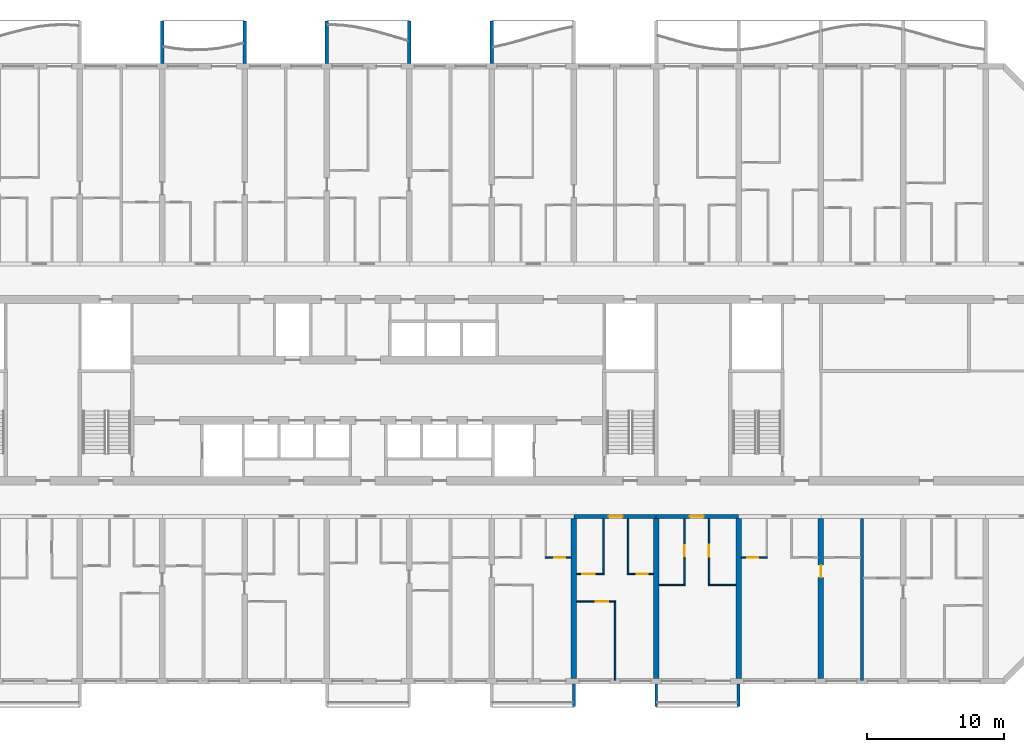
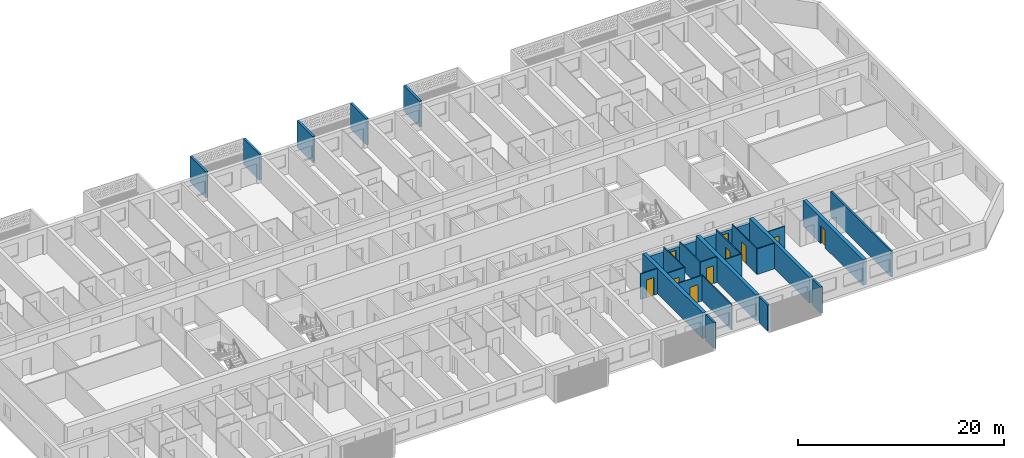
# One storey, part 14 of 40: 27 walls, 10 doors, 10 openings.
"""IFC4 building model written with IfcOpenShell, lengths in metres."""

from ifc_helpers import new_model, si_unit, direction, frame, frame_2d, origin, place, context, subcontext, project, spatial, polyline, rectangle, outline, extrude, source, transform, mapped, material, layer, layer_set, type_object, element, fill, save


model = new_model("IFC4")

# Units and contexts
model_context = context("Model", 3, precision=1e-05, world=origin(), true_north=direction((0.0, 1.0)))
body_context = subcontext(model_context, "Body", "Model", "MODEL_VIEW")
ifc_project = project(units=[si_unit("LENGTHUNIT", "METRE"), si_unit("AREAUNIT", "SQUARE_METRE"), si_unit("VOLUMEUNIT", "CUBIC_METRE"), si_unit("PLANEANGLEUNIT", "RADIAN"), si_unit("MASSUNIT", "GRAM", prefix="KILO")], contexts=[model_context])

# Site, building, storey
site_placement = place(None, origin())
site = spatial("IfcSite", under=ifc_project, at=site_placement, CompositionType="ELEMENT")
building_placement = place(site_placement, origin())
building = spatial("IfcBuilding", under=site, at=building_placement, Name="Poui Terraces", CompositionType="ELEMENT")
storey_placement = place(building_placement, frame((0.0, 0.0, 36.60009765625)))
storey = spatial("IfcBuildingStorey", under=building, at=storey_placement, Name="L09", CompositionType="ELEMENT", Elevation=36.60009765625)

# Wall, opening, door
ifc_material_1 = material(Name="Concrete 80 MPa", Category="concrete")
ifc_layer_1 = layer(ifc_material_1, 0.300048828125)
ifc_layer_set_1 = layer_set([ifc_layer_1], Name="Concrete 80 MPa")
wall_type_1 = type_object("IfcWallType", Name="CORRIDOR WALL 300 80MPa", PredefinedType="SHEAR", material=ifc_layer_set_1)
wall_1_placement = place(storey_placement, frame((66.0, 12.0, 0.0), z_axis=(0.0, 0.0, 1.0), x_axis=(1.0, 0.0, 0.0)))
wall_1 = element("IfcWall", 1, at=wall_1_placement, inside=storey, type_object=wall_type_1, Name="CORRIDOR WALL LINE B BAY 12", PredefinedType="SHEAR", context=body_context, shape_type="SweptSolid", body=[
    extrude(rectangle(XDim=6.0, YDim=0.300048828125, at=frame_2d((3.0, 0.0))), origin(), (0.0, 0.0, 1.0), 2.449951171875),
])
opening_1_placement = place(wall_1_placement, frame((2.550048828125, 0.0, 0.0)))
opening_1 = element("IfcOpeningElement", 2, at=opening_1_placement, cuts=wall_1, Name="Opening FD30S", PredefinedType="OPENING", context=body_context, shape_type="SweptSolid", body=[
    extrude(rectangle(XDim=1.0, YDim=2.10009765625, at=frame_2d((0.5, 1.050048828125))), frame((0.0, 0.16015625, 0.0), z_axis=(0.0, -1.0, 0.0), x_axis=(1.0, 0.0, 0.0)), (0.0, 0.0, 1.0), 0.320068359375),
])
ifc_material_2 = material(Name="Steel fire door", Category="steel")
door_type_1 = type_object("IfcDoorType", Name="FLAT ENTRANCE DOOR 1000 X 2100", OperationType="NOTDEFINED", PredefinedType="DOOR", material=ifc_material_2)
door_1_placement = place(opening_1_placement, frame((1.0, 0.0, 0.0), z_axis=(0.0, 0.0, 1.0), x_axis=(-1.0, 0.0, 0.0)))
door_1 = element("IfcDoor", 3, at=door_1_placement, inside=storey, type_object=door_type_1, Name="FLAT ENTRANCE DOOR 132", OperationType="SINGLE_SWING_LEFT", OverallHeight=2.10009765625, OverallWidth=1.0, PredefinedType="DOOR", context=body_context, shape_type="SweptSolid", body=[
    extrude(rectangle(XDim=1.0, YDim=2.10009765625, at=frame_2d((0.5, 1.050048828125))), frame((0.0, 0.02490234375, 0.0), z_axis=(0.0, -1.0, 0.0), x_axis=(1.0, 0.0, 0.0)), (0.0, 0.0, 1.0), 0.050048828125),
])
fill(opening_1, door_1)

wall_2_placement = place(storey_placement, frame((72.0, 12.0, 0.0), z_axis=(0.0, 0.0, 1.0), x_axis=(1.0, 0.0, 0.0)))
wall_2 = element("IfcWall", 4, at=wall_2_placement, inside=storey, type_object=wall_type_1, Name="CORRIDOR WALL LINE B BAY 13", PredefinedType="SHEAR", context=body_context, shape_type="SweptSolid", body=[
    extrude(rectangle(XDim=6.0, YDim=0.300048828125, at=frame_2d((3.0, 0.0))), origin(), (0.0, 0.0, 1.0), 2.449951171875),
])
opening_2_placement = place(wall_2_placement, frame((2.449951171875, 0.0, 0.0)))
opening_2 = element("IfcOpeningElement", 5, at=opening_2_placement, cuts=wall_2, Name="Opening FD30S", PredefinedType="OPENING", context=body_context, shape_type="SweptSolid", body=[
    extrude(rectangle(XDim=1.0, YDim=2.10009765625, at=frame_2d((0.5, 1.050048828125))), frame((0.0, 0.16015625, 0.0), z_axis=(0.0, -1.0, 0.0), x_axis=(1.0, 0.0, 0.0)), (0.0, 0.0, 1.0), 0.320068359375),
])
door_2_placement = place(opening_2_placement, frame((1.0, 0.0, 0.0), z_axis=(0.0, 0.0, 1.0), x_axis=(-1.0, 0.0, 0.0)))
door_2 = element("IfcDoor", 6, at=door_2_placement, inside=storey, type_object=door_type_1, Name="FLAT ENTRANCE DOOR 135", OperationType="SINGLE_SWING_RIGHT", OverallHeight=2.10009765625, OverallWidth=1.0, PredefinedType="DOOR", context=body_context, shape_type="SweptSolid", body=[
    extrude(rectangle(XDim=1.0, YDim=2.10009765625, at=frame_2d((0.5, 1.050048828125))), frame((0.0, 0.02490234375, 0.0), z_axis=(0.0, -1.0, 0.0), x_axis=(1.0, 0.0, 0.0)), (0.0, 0.0, 1.0), 0.050048828125),
])
fill(opening_2, door_2)

# Walls
ifc_layer_2 = layer(ifc_material_1, 0.39990234375)
ifc_layer_set_2 = layer_set([ifc_layer_2], Name="Concrete 80 MPa")
wall_type_2 = type_object("IfcWallType", Name="CROSS WALL 400 80MPa", PredefinedType="SHEAR", material=ifc_layer_set_2)
for number, where, z_axis, x_axis, name in (
    (7, (66.0, 0.199951171875, 0.0), (0.0, 0.0, 1.0), (0.0, 1.0, 0.0), "CROSS WALL LINE 12 SOUTH"),
    (8, (72.0, 0.199951171875, 0.0), (0.0, 0.0, 1.0), (0.0, 1.0, 0.0), "CROSS WALL LINE 13 SOUTH"),
    (9, (78.0, 0.199951171875, 0.0), (0.0, 0.0, 1.0), (0.0, 1.0, 0.0), "CROSS WALL LINE 14 SOUTH"),
):
    element("IfcWall", number, at=place(storey_placement, frame(where, z_axis=z_axis, x_axis=x_axis)), inside=storey, type_object=wall_type_2, Name=name, PredefinedType="SHEAR", context=body_context, shape_type="SweptSolid", body=[
        extrude(rectangle(XDim=11.650146484375, YDim=0.39990234375, at=frame_2d((5.8251953125, 0.0))), origin(), (0.0, 0.0, 1.0), 3.0498046875),
    ])

# Wall, opening, door
wall_3_placement = place(storey_placement, frame((84.0, 0.199951171875, 0.0), z_axis=(0.0, 0.0, 1.0), x_axis=(0.0, 1.0, 0.0)))
wall_3 = element("IfcWall", 10, at=wall_3_placement, inside=storey, type_object=wall_type_2, Name="CROSS WALL LINE 15 SOUTH", PredefinedType="SHEAR", context=body_context, shape_type="SweptSolid", body=[
    extrude(rectangle(XDim=11.650146484375, YDim=0.39990234375, at=frame_2d((5.8251953125, 0.0))), origin(), (0.0, 0.0, 1.0), 3.0498046875),
])
opening_3_placement = place(wall_3_placement, frame((7.35009765625, 0.0, 0.0)))
opening_3 = element("IfcOpeningElement", 11, at=opening_3_placement, cuts=wall_3, Name="Opening D90", PredefinedType="OPENING", context=body_context, shape_type="SweptSolid", body=[
    extrude(rectangle(XDim=0.89990234375, YDim=2.10009765625, at=frame_2d((0.449951171875, 1.050048828125))), frame((0.0, 0.2099609375, 0.0), z_axis=(0.0, -1.0, 0.0), x_axis=(1.0, 0.0, 0.0)), (0.0, 0.0, 1.0), 0.419921875),
])
ifc_material_3 = material(Name="Solid core timber door", Category="wood")
door_type_2 = type_object("IfcDoorType", Name="INTERNAL DOOR 900 X 2100", OperationType="NOTDEFINED", PredefinedType="DOOR", material=ifc_material_3)
door_3_placement = place(opening_3_placement, frame((0.89990234375, 0.0, 0.0), z_axis=(0.0, 0.0, 1.0), x_axis=(-1.0, 0.0, 0.0)))
door_3 = element("IfcDoor", 12, at=door_3_placement, inside=storey, type_object=door_type_2, Name="INTERNAL DOOR 141", OperationType="SINGLE_SWING_LEFT", OverallHeight=2.10009765625, OverallWidth=0.89990234375, PredefinedType="DOOR", context=body_context, shape_type="SweptSolid", body=[
    extrude(rectangle(XDim=0.89990234375, YDim=2.10009765625, at=frame_2d((0.449951171875, 1.050048828125))), frame((0.0, 0.02490234375, 0.0), z_axis=(0.0, -1.0, 0.0), x_axis=(1.0, 0.0, 0.0)), (0.0, 0.0, 1.0), 0.050048828125),
])
fill(opening_3, door_3)

ifc_material_4 = material(Name="Plasterboard partition")
ifc_layer_3 = layer(ifc_material_4, 0.10009765625)
ifc_layer_set_3 = layer_set([ifc_layer_3], Name="Plasterboard partition")
wall_type_3 = type_object("IfcWallType", Name="FLAT PARTITION 100", PredefinedType="PARTITIONING", material=ifc_layer_set_3)
wall_4_placement = place(storey_placement, frame((66.2099609375, 5.800048828125, 0.0), z_axis=(0.0, 0.0, 1.0), x_axis=(1.0, 0.0, 0.0)))
wall_4 = element("IfcWall", 13, at=wall_4_placement, inside=storey, type_object=wall_type_3, Name="FLAT PARTITION 100", PredefinedType="PARTITIONING", context=body_context, shape_type="SweptSolid", body=[
    extrude(rectangle(XDim=2.840087890625, YDim=0.10009765625, at=frame_2d((1.419921875, 0.0))), origin(), (0.0, 0.0, 1.0), 3.0498046875),
])
opening_4_placement = place(wall_4_placement, frame((1.389892578125, 0.0, 0.0)))
opening_4 = element("IfcOpeningElement", 14, at=opening_4_placement, cuts=wall_4, Name="Opening D90", PredefinedType="OPENING", context=body_context, shape_type="SweptSolid", body=[
    extrude(rectangle(XDim=0.89990234375, YDim=2.10009765625, at=frame_2d((0.449951171875, 1.050048828125))), frame((0.0, 0.06005859375, 0.0), z_axis=(0.0, -1.0, 0.0), x_axis=(1.0, 0.0, 0.0)), (0.0, 0.0, 1.0), 0.1201171875),
])
door_4_placement = place(opening_4_placement, origin())
door_4 = element("IfcDoor", 15, at=door_4_placement, inside=storey, type_object=door_type_2, Name="INTERNAL DOOR 131", OperationType="SINGLE_SWING_LEFT", OverallHeight=2.10009765625, OverallWidth=0.89990234375, PredefinedType="DOOR", context=body_context, shape_type="SweptSolid", body=[
    extrude(rectangle(XDim=0.89990234375, YDim=2.10009765625, at=frame_2d((0.449951171875, 1.050048828125))), frame((0.0, 0.02490234375, 0.0), z_axis=(0.0, -1.0, 0.0), x_axis=(1.0, 0.0, 0.0)), (0.0, 0.0, 1.0), 0.050048828125),
])
fill(opening_4, door_4)

# Walls
wall_5_placement = place(storey_placement, frame((72.2099609375, 7.0, 0.0), z_axis=(0.0, 0.0, 1.0), x_axis=(1.0, 0.0, 0.0)))
element("IfcWall", 16, at=wall_5_placement, inside=storey, type_object=wall_type_3, Name="FLAT PARTITION 100", PredefinedType="PARTITIONING", context=body_context, shape_type="SweptSolid", body=[
    extrude(rectangle(XDim=1.89013671875, YDim=0.10009765625, at=frame_2d((0.945068359375, 0.0))), origin(), (0.0, 0.0, 1.0), 3.0498046875),
])
wall_6_placement = place(storey_placement, frame((75.800048828125, 7.0, 0.0), z_axis=(0.0, 0.0, 1.0), x_axis=(1.0, 0.0, 0.0)))
element("IfcWall", 17, at=wall_6_placement, inside=storey, type_object=wall_type_3, Name="FLAT PARTITION 100", PredefinedType="PARTITIONING", context=body_context, shape_type="SweptSolid", body=[
    extrude(rectangle(XDim=1.989990234375, YDim=0.10009765625, at=frame_2d((0.9951171875, 0.0))), origin(), (0.0, 0.0, 1.0), 3.0498046875),
])

# Wall, opening, door
wall_7_placement = place(storey_placement, frame((66.2099609375, 7.800048828125, 0.0), z_axis=(0.0, 0.0, 1.0), x_axis=(1.0, 0.0, 0.0)))
wall_7 = element("IfcWall", 18, at=wall_7_placement, inside=storey, type_object=wall_type_3, Name="FLAT PARTITION 100", PredefinedType="PARTITIONING", context=body_context, shape_type="SweptSolid", body=[
    extrude(rectangle(XDim=1.989990234375, YDim=0.10009765625, at=frame_2d((0.9951171875, 0.0))), origin(), (0.0, 0.0, 1.0), 3.0498046875),
])
opening_5_placement = place(wall_7_placement, frame((0.4150390625, 0.0, 0.0)))
opening_5 = element("IfcOpeningElement", 19, at=opening_5_placement, cuts=wall_7, Name="Opening D90", PredefinedType="OPENING", context=body_context, shape_type="SweptSolid", body=[
    extrude(rectangle(XDim=0.89990234375, YDim=2.10009765625, at=frame_2d((0.449951171875, 1.050048828125))), frame((0.0, 0.06005859375, 0.0), z_axis=(0.0, -1.0, 0.0), x_axis=(1.0, 0.0, 0.0)), (0.0, 0.0, 1.0), 0.1201171875),
])
door_5_placement = place(opening_5_placement, origin())
door_5 = element("IfcDoor", 20, at=door_5_placement, inside=storey, type_object=door_type_2, Name="INTERNAL DOOR 130", OperationType="SINGLE_SWING_RIGHT", OverallHeight=2.10009765625, OverallWidth=0.89990234375, PredefinedType="DOOR", context=body_context, shape_type="SweptSolid", body=[
    extrude(rectangle(XDim=0.89990234375, YDim=2.10009765625, at=frame_2d((0.449951171875, 1.050048828125))), frame((0.0, 0.02490234375, 0.0), z_axis=(0.0, -1.0, 0.0), x_axis=(1.0, 0.0, 0.0)), (0.0, 0.0, 1.0), 0.050048828125),
])
fill(opening_5, door_5)

wall_8_placement = place(storey_placement, frame((69.89990234375, 7.800048828125, 0.0), z_axis=(0.0, 0.0, 1.0), x_axis=(1.0, 0.0, 0.0)))
wall_8 = element("IfcWall", 21, at=wall_8_placement, inside=storey, type_object=wall_type_3, Name="FLAT PARTITION 100", PredefinedType="PARTITIONING", context=body_context, shape_type="SweptSolid", body=[
    extrude(rectangle(XDim=1.89013671875, YDim=0.10009765625, at=frame_2d((0.945068359375, 0.0))), origin(), (0.0, 0.0, 1.0), 3.0498046875),
])
opening_6_placement = place(wall_8_placement, frame((0.675048828125, 0.0, 0.0)))
opening_6 = element("IfcOpeningElement", 22, at=opening_6_placement, cuts=wall_8, Name="Opening D80", PredefinedType="OPENING", context=body_context, shape_type="SweptSolid", body=[
    extrude(rectangle(XDim=0.800048828125, YDim=2.10009765625, at=frame_2d((0.39990234375, 1.050048828125))), frame((0.0, 0.06005859375, 0.0), z_axis=(0.0, -1.0, 0.0), x_axis=(1.0, 0.0, 0.0)), (0.0, 0.0, 1.0), 0.1201171875),
])
door_type_3 = type_object("IfcDoorType", Name="BATHROOM, LAUNDRY AND STORE DOOR 800 X 2100", OperationType="NOTDEFINED", PredefinedType="DOOR", material=ifc_material_3)
door_6_placement = place(opening_6_placement, origin())
door_6 = element("IfcDoor", 23, at=door_6_placement, inside=storey, type_object=door_type_3, Name="BATHROOM, LAUNDRY AND STORE DOOR 133", OperationType="SINGLE_SWING_LEFT", OverallHeight=2.10009765625, OverallWidth=0.800048828125, PredefinedType="DOOR", context=body_context, shape_type="SweptSolid", body=[
    extrude(rectangle(XDim=0.800048828125, YDim=2.10009765625, at=frame_2d((0.39990234375, 1.050048828125))), frame((0.0, 0.02490234375, 0.0), z_axis=(0.0, -1.0, 0.0), x_axis=(1.0, 0.0, 0.0)), (0.0, 0.0, 1.0), 0.050048828125),
])
fill(opening_6, door_6)

wall_9_placement = place(storey_placement, frame((63.89990234375, 9.0, 0.0), z_axis=(0.0, 0.0, 1.0), x_axis=(1.0, 0.0, 0.0)))
wall_9 = element("IfcWall", 24, at=wall_9_placement, inside=storey, type_object=wall_type_3, Name="FLAT PARTITION 100", PredefinedType="PARTITIONING", context=body_context, shape_type="SweptSolid", body=[
    extrude(rectangle(XDim=1.89013671875, YDim=0.10009765625, at=frame_2d((0.945068359375, 0.0))), origin(), (0.0, 0.0, 1.0), 3.0498046875),
])
opening_7_placement = place(wall_9_placement, frame((0.675048828125, 0.0, 0.0)))
opening_7 = element("IfcOpeningElement", 25, at=opening_7_placement, cuts=wall_9, Name="Opening D80", PredefinedType="OPENING", context=body_context, shape_type="SweptSolid", body=[
    extrude(rectangle(XDim=0.800048828125, YDim=2.10009765625, at=frame_2d((0.39990234375, 1.050048828125))), frame((0.0, 0.06005859375, 0.0), z_axis=(0.0, -1.0, 0.0), x_axis=(1.0, 0.0, 0.0)), (0.0, 0.0, 1.0), 0.1201171875),
])
door_7_placement = place(opening_7_placement, origin())
door_7 = element("IfcDoor", 26, at=door_7_placement, inside=storey, type_object=door_type_3, Name="BATHROOM, LAUNDRY AND STORE DOOR 129", OperationType="SINGLE_SWING_RIGHT", OverallHeight=2.10009765625, OverallWidth=0.800048828125, PredefinedType="DOOR", context=body_context, shape_type="SweptSolid", body=[
    extrude(rectangle(XDim=0.800048828125, YDim=2.10009765625, at=frame_2d((0.39990234375, 1.050048828125))), frame((0.0, 0.02490234375, 0.0), z_axis=(0.0, -1.0, 0.0), x_axis=(1.0, 0.0, 0.0)), (0.0, 0.0, 1.0), 0.050048828125),
])
fill(opening_7, door_7)

wall_10_placement = place(storey_placement, frame((78.2099609375, 9.0, 0.0), z_axis=(0.0, 0.0, 1.0), x_axis=(1.0, 0.0, 0.0)))
wall_10 = element("IfcWall", 27, at=wall_10_placement, inside=storey, type_object=wall_type_3, Name="FLAT PARTITION 100", PredefinedType="PARTITIONING", context=body_context, shape_type="SweptSolid", body=[
    extrude(rectangle(XDim=1.89013671875, YDim=0.10009765625, at=frame_2d((0.945068359375, 0.0))), origin(), (0.0, 0.0, 1.0), 3.0498046875),
])
opening_8_placement = place(wall_10_placement, frame((0.4150390625, 0.0, 0.0)))
opening_8 = element("IfcOpeningElement", 28, at=opening_8_placement, cuts=wall_10, Name="Opening D80", PredefinedType="OPENING", context=body_context, shape_type="SweptSolid", body=[
    extrude(rectangle(XDim=0.800048828125, YDim=2.10009765625, at=frame_2d((0.39990234375, 1.050048828125))), frame((0.0, 0.06005859375, 0.0), z_axis=(0.0, -1.0, 0.0), x_axis=(1.0, 0.0, 0.0)), (0.0, 0.0, 1.0), 0.1201171875),
])
door_8_placement = place(opening_8_placement, origin())
door_8 = element("IfcDoor", 29, at=door_8_placement, inside=storey, type_object=door_type_3, Name="BATHROOM, LAUNDRY AND STORE DOOR 138", OperationType="SINGLE_SWING_LEFT", OverallHeight=2.10009765625, OverallWidth=0.800048828125, PredefinedType="DOOR", context=body_context, shape_type="SweptSolid", body=[
    extrude(rectangle(XDim=0.800048828125, YDim=2.10009765625, at=frame_2d((0.39990234375, 1.050048828125))), frame((0.0, 0.02490234375, 0.0), z_axis=(0.0, -1.0, 0.0), x_axis=(1.0, 0.0, 0.0)), (0.0, 0.0, 1.0), 0.050048828125),
])
fill(opening_8, door_8)

# Walls
wall_11_placement = place(storey_placement, frame((68.14990234375, 7.85009765625, 0.0), z_axis=(0.0, 0.0, 1.0), x_axis=(0.0, 1.0, 0.0)))
element("IfcWall", 30, at=wall_11_placement, inside=storey, type_object=wall_type_3, Name="FLAT PARTITION 100", PredefinedType="PARTITIONING", context=body_context, shape_type="SweptSolid", body=[
    extrude(rectangle(XDim=3.989990234375, YDim=0.10009765625, at=frame_2d((1.9951171875, 0.0))), origin(), (0.0, 0.0, 1.0), 3.0498046875),
])
wall_12_placement = place(storey_placement, frame((69.0, 0.06005859375, 0.0), z_axis=(0.0, 0.0, 1.0), x_axis=(0.0, 1.0, 0.0)))
element("IfcWall", 31, at=wall_12_placement, inside=storey, type_object=wall_type_3, Name="FLAT PARTITION 100", PredefinedType="PARTITIONING", context=body_context, shape_type="SweptSolid", body=[
    extrude(rectangle(XDim=5.68994140625, YDim=0.10009765625, at=frame_2d((2.844970703125, 0.0))), origin(), (0.0, 0.0, 1.0), 3.0498046875),
])
wall_13_placement = place(storey_placement, frame((69.949951171875, 7.85009765625, 0.0), z_axis=(0.0, 0.0, 1.0), x_axis=(0.0, 1.0, 0.0)))
element("IfcWall", 32, at=wall_13_placement, inside=storey, type_object=wall_type_3, Name="FLAT PARTITION 100", PredefinedType="PARTITIONING", context=body_context, shape_type="SweptSolid", body=[
    extrude(rectangle(XDim=3.989990234375, YDim=0.10009765625, at=frame_2d((1.9951171875, 0.0))), origin(), (0.0, 0.0, 1.0), 3.0498046875),
])

# Wall, opening, door
wall_14_placement = place(storey_placement, frame((74.050048828125, 7.050048828125, 0.0), z_axis=(0.0, 0.0, 1.0), x_axis=(0.0, 1.0, 0.0)))
wall_14 = element("IfcWall", 33, at=wall_14_placement, inside=storey, type_object=wall_type_3, Name="FLAT PARTITION 100", PredefinedType="PARTITIONING", context=body_context, shape_type="SweptSolid", body=[
    extrude(rectangle(XDim=4.7900390625, YDim=0.10009765625, at=frame_2d((2.39501953125, 0.0))), origin(), (0.0, 0.0, 1.0), 3.0498046875),
])
opening_9_placement = place(wall_14_placement, frame((2.050048828125, 0.0, 0.0)))
opening_9 = element("IfcOpeningElement", 34, at=opening_9_placement, cuts=wall_14, Name="Opening D80", PredefinedType="OPENING", context=body_context, shape_type="SweptSolid", body=[
    extrude(rectangle(XDim=0.800048828125, YDim=2.10009765625, at=frame_2d((0.39990234375, 1.050048828125))), frame((0.0, 0.06005859375, 0.0), z_axis=(0.0, -1.0, 0.0), x_axis=(1.0, 0.0, 0.0)), (0.0, 0.0, 1.0), 0.1201171875),
])
door_9_placement = place(opening_9_placement, origin())
door_9 = element("IfcDoor", 35, at=door_9_placement, inside=storey, type_object=door_type_3, Name="BATHROOM, LAUNDRY AND STORE DOOR 134", OperationType="SINGLE_SWING_RIGHT", OverallHeight=2.10009765625, OverallWidth=0.800048828125, PredefinedType="DOOR", context=body_context, shape_type="SweptSolid", body=[
    extrude(rectangle(XDim=0.800048828125, YDim=2.10009765625, at=frame_2d((0.39990234375, 1.050048828125))), frame((0.0, 0.02490234375, 0.0), z_axis=(0.0, -1.0, 0.0), x_axis=(1.0, 0.0, 0.0)), (0.0, 0.0, 1.0), 0.050048828125),
])
fill(opening_9, door_9)

wall_15_placement = place(storey_placement, frame((75.85009765625, 7.050048828125, 0.0), z_axis=(0.0, 0.0, 1.0), x_axis=(0.0, 1.0, 0.0)))
wall_15 = element("IfcWall", 36, at=wall_15_placement, inside=storey, type_object=wall_type_3, Name="FLAT PARTITION 100", PredefinedType="PARTITIONING", context=body_context, shape_type="SweptSolid", body=[
    extrude(rectangle(XDim=4.7900390625, YDim=0.10009765625, at=frame_2d((2.39501953125, 0.0))), origin(), (0.0, 0.0, 1.0), 3.0498046875),
])
opening_10_placement = place(wall_15_placement, frame((2.0, 0.0, 0.0)))
opening_10 = element("IfcOpeningElement", 37, at=opening_10_placement, cuts=wall_15, Name="Opening D90", PredefinedType="OPENING", context=body_context, shape_type="SweptSolid", body=[
    extrude(rectangle(XDim=0.89990234375, YDim=2.10009765625, at=frame_2d((0.449951171875, 1.050048828125))), frame((0.0, 0.06005859375, 0.0), z_axis=(0.0, -1.0, 0.0), x_axis=(1.0, 0.0, 0.0)), (0.0, 0.0, 1.0), 0.1201171875),
])
door_10_placement = place(opening_10_placement, frame((0.89990234375, 0.0, 0.0), z_axis=(0.0, 0.0, 1.0), x_axis=(-1.0, 0.0, 0.0)))
door_10 = element("IfcDoor", 38, at=door_10_placement, inside=storey, type_object=door_type_2, Name="INTERNAL DOOR 136", OperationType="SINGLE_SWING_RIGHT", OverallHeight=2.10009765625, OverallWidth=0.89990234375, PredefinedType="DOOR", context=body_context, shape_type="SweptSolid", body=[
    extrude(rectangle(XDim=0.89990234375, YDim=2.10009765625, at=frame_2d((0.449951171875, 1.050048828125))), frame((0.0, 0.02490234375, 0.0), z_axis=(0.0, -1.0, 0.0), x_axis=(1.0, 0.0, 0.0)), (0.0, 0.0, 1.0), 0.050048828125),
])
fill(opening_10, door_10)

# Walls
ifc_material_5 = material(Name="Fire-rated masonry wall", Category="masonry")
ifc_layer_4 = layer(ifc_material_5, 0.199951171875)
ifc_layer_set_4 = layer_set([ifc_layer_4], Name="Fire-rated masonry wall")
wall_type_4 = type_object("IfcWallType", Name="FLAT PARTY WALL 200", PredefinedType="PARTITIONING", material=ifc_layer_set_4)
wall_16_placement = place(storey_placement, frame((87.0, 0.06005859375, 0.0), z_axis=(0.0, 0.0, 1.0), x_axis=(0.0, 1.0, 0.0)))
element("IfcWall", 39, at=wall_16_placement, inside=storey, type_object=wall_type_4, Name="FLAT PARTY WALL 200", PredefinedType="PARTITIONING", context=body_context, shape_type="SweptSolid", body=[
    extrude(rectangle(XDim=11.780029296875, YDim=0.199951171875, at=frame_2d((5.89013671875, 0.0))), origin(), (0.0, 0.0, 1.0), 3.0498046875),
])
ifc_material_6 = material(Name="Precast concrete 40 MPa", Category="concrete")
ifc_layer_5 = layer(ifc_material_6, 0.25)
ifc_layer_set_5 = layer_set([ifc_layer_5], Name="Precast concrete 40 MPa")
wall_type_5 = type_object("IfcWallType", Name="BALCONY FIN 250", PredefinedType="STANDARD", material=ifc_layer_set_5)
shared_shape_1 = source(origin(), body_context, "Body", "SweptSolid", [
    extrude(outline(polyline([(0.0, 0.0), (0.25, 0.0), (0.25, 3.10009765625), (0.0, 3.10009765625), (0.0, 0.0)])), origin(), (0.0, 0.0, 1.0), 3.099853515625),
])
for number, where, name in (
    (40, (35.875, 45.0, 0.0), "BALCONY FIN"),
    (41, (41.875, 45.0, 0.0), "BALCONY FIN"),
    (42, (47.875, 45.0, 0.0), "BALCONY FIN"),
    (43, (53.875, 45.0, 0.0), "BALCONY FIN"),
    (44, (59.875, 45.0, 0.0), "BALCONY FIN"),
):
    element("IfcWall", number, at=place(storey_placement, frame(where)), inside=storey, type_object=wall_type_5, Name=name, PredefinedType="STANDARD", context=body_context, shape_type="MappedRepresentation", body=[
        mapped(shared_shape_1, transform((0.0, 0.0, 0.0))),
    ])
ifc_layer_6 = layer(ifc_material_6, 0.199951171875)
ifc_layer_set_6 = layer_set([ifc_layer_6], Name="Precast concrete 40 MPa")
wall_type_6 = type_object("IfcWallType", Name="REAR FIN 200", PredefinedType="STANDARD", material=ifc_layer_set_6)
shared_shape_2 = source(origin(), body_context, "Body", "SweptSolid", [
    extrude(outline(polyline([(0.0, 0.0), (0.2001953125, 0.0), (0.2001953125, 1.650146484375), (0.0, 1.650146484375), (0.0, 0.0)])), origin(), (0.0, 0.0, 1.0), 3.099853515625),
])
for number, where, name in (
    (45, (65.89990234375, -1.85009765625, 0.0), "REAR FIN"),
    (46, (71.89990234375, -1.85009765625, 0.0), "REAR FIN"),
    (47, (77.89990234375, -1.85009765625, 0.0), "REAR FIN"),
):
    element("IfcWall", number, at=place(storey_placement, frame(where)), inside=storey, type_object=wall_type_6, Name=name, PredefinedType="STANDARD", context=body_context, shape_type="MappedRepresentation", body=[
        mapped(shared_shape_2, transform((0.0, 0.0, 0.0))),
    ])

save(model, "model.ifc")
